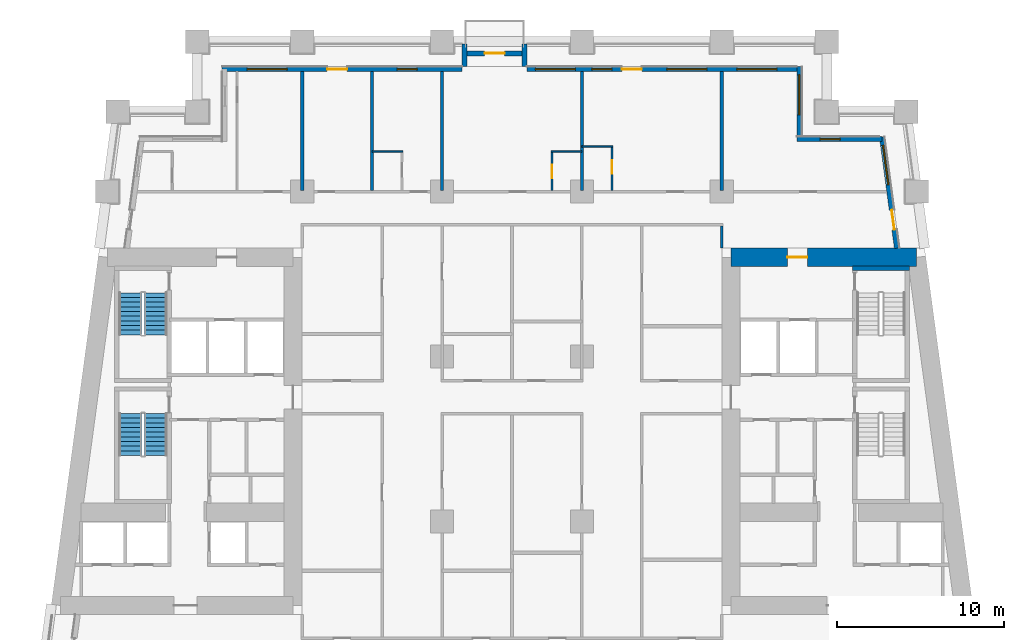
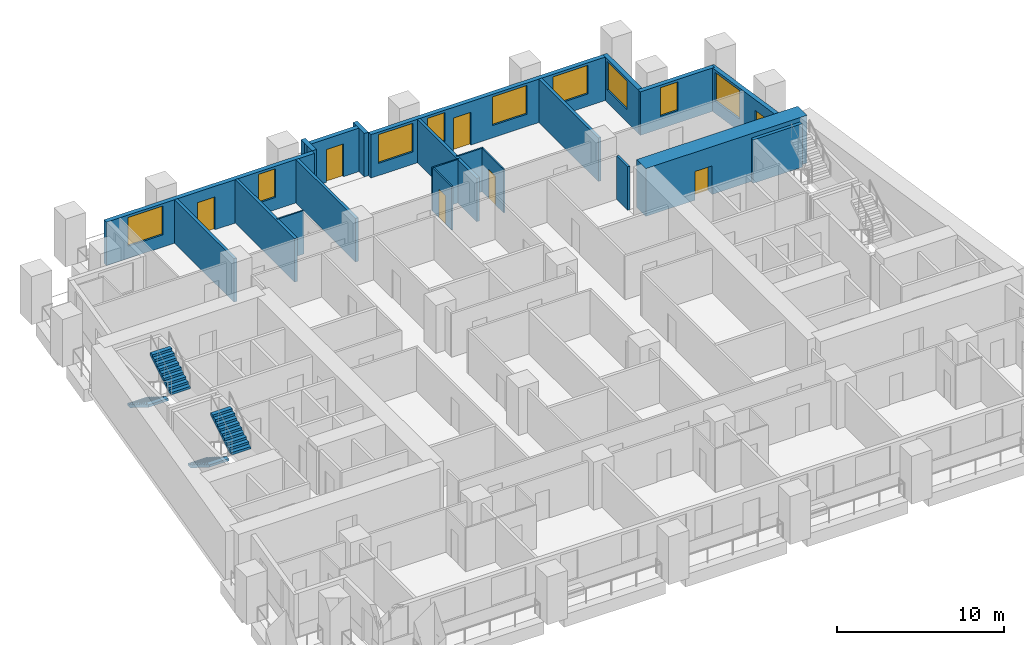
# One storey, part 7 of 13: 21 walls, 9 windows, 7 doors, 4 stair flights, 16 openings, 2 elements without a shape of their own.
"""IFC4 building model written with IfcOpenShell, lengths in metres."""

from ifc_helpers import new_model, si_unit, direction, frame, frame_2d, origin, place, context, subcontext, project, spatial, polyline, rectangle, outline, extrude, material, layer, layer_set, type_object, element, fill, aggregate, save


model = new_model("IFC4")

# Units and contexts
model_context = context("Model", 3, precision=1e-05, world=origin(), true_north=direction((0.0, 1.0)))
body_context = subcontext(model_context, "Body", "Model", "MODEL_VIEW")
ifc_project = project(units=[si_unit("LENGTHUNIT", "METRE"), si_unit("AREAUNIT", "SQUARE_METRE"), si_unit("VOLUMEUNIT", "CUBIC_METRE"), si_unit("PLANEANGLEUNIT", "RADIAN"), si_unit("MASSUNIT", "GRAM", prefix="KILO")], contexts=[model_context])

# Site, building, storey
site_placement = place(None, origin())
site = spatial("IfcSite", under=ifc_project, at=site_placement, CompositionType="ELEMENT")
building_placement = place(site_placement, origin())
building = spatial("IfcBuilding", under=site, at=building_placement, Name="Candeia Pilgrim Tower and Theatre", CompositionType="ELEMENT")
storey_placement = place(building_placement, frame((0.0, 0.0, 60.0)))
storey = spatial("IfcBuildingStorey", under=building, at=storey_placement, Name="L12", CompositionType="ELEMENT", Elevation=60.0)

# Wall, opening, door
ifc_material_1 = material(Name="Concrete C80/95", Category="concrete")
ifc_layer_1 = layer(ifc_material_1, 1.10009765625)
ifc_layer_set_1 = layer_set([ifc_layer_1], Name="Core wall 1100 C80/95")
wall_type_1 = type_object("IfcWallType", Name="Core wall 1100 C80/95", PredefinedType="SHEAR", material=ifc_layer_set_1)
wall_1_placement = place(storey_placement, frame((126.550048828125, 131.85009765625, 0.0), z_axis=(0.0, 0.0, 1.0), x_axis=(1.0, 0.0, 0.0)))
wall_1 = element("IfcWall", 1, at=wall_1_placement, inside=storey, type_object=wall_type_1, Name="Core wall E1", PredefinedType="SHEAR", context=body_context, shape_type="SweptSolid", body=[
    extrude(rectangle(XDim=11.13818359375, YDim=1.10009765625, at=frame_2d((5.569091796875, 0.0))), origin(), (0.0, 0.0, 1.0), 3.5),
])
opening_1_placement = place(wall_1_placement, frame((3.386474609375, 0.0, 0.0)))
opening_1 = element("IfcOpeningElement", 2, at=opening_1_placement, cuts=wall_1, Name="Opening L12-D061", PredefinedType="OPENING", context=body_context, shape_type="SweptSolid", body=[
    extrude(rectangle(XDim=1.199951171875, YDim=2.10009765625, at=frame_2d((0.60009765625, 1.050048828125))), frame((0.0, 0.56005859375, 0.0), z_axis=(0.0, -1.0, 0.0), x_axis=(1.0, 0.0, 0.0)), (0.0, 0.0, 1.0), 1.1201171875),
])
ifc_material_2 = material(Name="Steel fire door set", Category="steel")
door_type_1 = type_object("IfcDoorType", Name="D-1200-FD60", OperationType="NOTDEFINED", PredefinedType="DOOR", material=ifc_material_2)
door_1_placement = place(opening_1_placement, origin())
door_1 = element("IfcDoor", 3, at=door_1_placement, inside=storey, type_object=door_type_1, Name="Door L12-D061", OperationType="SINGLE_SWING_LEFT", OverallHeight=2.10009765625, OverallWidth=1.199951171875, PredefinedType="DOOR", context=body_context, shape_type="SweptSolid", body=[
    extrude(rectangle(XDim=1.199951171875, YDim=2.10009765625, at=frame_2d((0.60009765625, 1.050048828125))), frame((0.0, 0.02490234375, 0.0), z_axis=(0.0, -1.0, 0.0), x_axis=(1.0, 0.0, 0.0)), (0.0, 0.0, 1.0), 0.050048828125),
])
fill(opening_1, door_1)

# Wall, openings, door, window
ifc_material_3 = material(Name="Ceramic block masonry", Category="masonry")
ifc_layer_2 = layer(ifc_material_3, 0.300048828125)
ifc_layer_set_2 = layer_set([ifc_layer_2], Name="EW1 glazing-line wall 300")
wall_type_2 = type_object("IfcWallType", Name="EW1 glazing-line wall 300", PredefinedType="SOLIDWALL", material=ifc_layer_set_2)
wall_2_placement = place(storey_placement, frame((136.50439453125, 132.39990234375, 0.0), z_axis=(0.0, 0.0, 1.0), x_axis=(-0.133399697462, 0.99106231929, 0.0)))
wall_2 = element("IfcWall", 4, at=wall_2_placement, inside=storey, type_object=wall_type_2, Name="External wall L12-3.1", PredefinedType="SOLIDWALL", context=body_context, shape_type="SweptSolid", body=[
    extrude(rectangle(XDim=6.740478515625, YDim=0.300048828125, at=frame_2d((3.3701171875, 0.0))), origin(), (0.0, 0.0, 1.0), 3.179931640625),
])
opening_2_placement = place(wall_2_placement, frame((1.115234375, 0.0, 0.0)))
opening_2 = element("IfcOpeningElement", 5, at=opening_2_placement, cuts=wall_2, Name="Opening L12-ED140", PredefinedType="OPENING", context=body_context, shape_type="SweptSolid", body=[
    extrude(rectangle(XDim=1.199951171875, YDim=2.39990234375, at=frame_2d((0.60009765625, 1.199951171875))), frame((0.0, 0.16015625, 0.0), z_axis=(0.0, -1.0, 0.0), x_axis=(1.0, 0.0, 0.0)), (0.0, 0.0, 1.0), 0.320068359375),
])
opening_3_placement = place(wall_2_placement, frame((3.83544921875, 0.0, 0.89990234375)))
opening_3 = element("IfcOpeningElement", 6, at=opening_3_placement, cuts=wall_2, Name="Opening W-A", PredefinedType="OPENING", context=body_context, shape_type="SweptSolid", body=[
    extrude(rectangle(XDim=2.39990234375, YDim=2.10009765625, at=frame_2d((1.199951171875, 1.050048828125))), frame((0.0, 0.16015625, 0.0), z_axis=(0.0, -1.0, 0.0), x_axis=(1.0, 0.0, 0.0)), (0.0, 0.0, 1.0), 0.320068359375),
])
ifc_material_4 = material(Name="Aluminium framed glazed door", Category="aluminium")
door_type_2 = type_object("IfcDoorType", Name="Loggia door 1200x2400", OperationType="DOUBLE_DOOR_SINGLE_SWING", PredefinedType="DOOR", material=ifc_material_4)
door_2_placement = place(opening_2_placement, origin())
door_2 = element("IfcDoor", 7, at=door_2_placement, inside=storey, type_object=door_type_2, Name="Loggia door L12-ED140", OperationType="DOUBLE_DOOR_SINGLE_SWING", OverallHeight=2.39990234375, OverallWidth=1.199951171875, PredefinedType="DOOR", context=body_context, shape_type="SweptSolid", body=[
    extrude(rectangle(XDim=1.199951171875, YDim=2.39990234375, at=frame_2d((0.60009765625, 1.199951171875))), frame((0.0, 0.02490234375, 0.0), z_axis=(0.0, -1.0, 0.0), x_axis=(1.0, 0.0, 0.0)), (0.0, 0.0, 1.0), 0.050048828125),
])
fill(opening_2, door_2)
ifc_material_5 = material(Name="Aluminium framed double glazing", Category="aluminium")
window_type_1 = type_object("IfcWindowType", Name="W-A window 2400x2100", PartitioningType="DOUBLE_PANEL_VERTICAL", PredefinedType="WINDOW", material=ifc_material_5)
window_1_placement = place(opening_3_placement, origin())
window_1 = element("IfcWindow", 8, at=window_1_placement, inside=storey, type_object=window_type_1, Name="Window W-A L12", OverallHeight=2.10009765625, OverallWidth=2.39990234375, PartitioningType="SINGLE_PANEL", PredefinedType="WINDOW", context=body_context, shape_type="SweptSolid", body=[
    extrude(rectangle(XDim=2.39990234375, YDim=2.10009765625, at=frame_2d((1.199951171875, 1.050048828125))), frame((0.0, 0.030029296875, 0.0), z_axis=(0.0, -1.0, 0.0), x_axis=(1.0, 0.0, 0.0)), (0.0, 0.0, 1.0), 0.06005859375),
])
fill(opening_3, window_1)

# Wall, opening, window
wall_3_placement = place(storey_placement, frame((135.62255859375, 138.949951171875, 0.0), z_axis=(0.0, 0.0, 1.0), x_axis=(-1.0, 0.0, 0.0)))
wall_3 = element("IfcWall", 9, at=wall_3_placement, inside=storey, type_object=wall_type_2, Name="External wall L12-4.0", PredefinedType="SOLIDWALL", context=body_context, shape_type="SweptSolid", body=[
    extrude(rectangle(XDim=5.12255859375, YDim=0.300048828125, at=frame_2d((2.561279296875, 0.0))), origin(), (0.0, 0.0, 1.0), 3.179931640625),
])
opening_4_placement = place(wall_3_placement, frame((2.522705078125, 0.0, 0.89990234375)))
opening_4 = element("IfcOpeningElement", 10, at=opening_4_placement, cuts=wall_3, Name="Opening W-B", PredefinedType="OPENING", context=body_context, shape_type="SweptSolid", body=[
    extrude(rectangle(XDim=1.199951171875, YDim=2.10009765625, at=frame_2d((0.60009765625, 1.050048828125))), frame((0.0, 0.16015625, 0.0), z_axis=(0.0, -1.0, 0.0), x_axis=(1.0, 0.0, 0.0)), (0.0, 0.0, 1.0), 0.320068359375),
])
window_type_2 = type_object("IfcWindowType", Name="W-B window 1200x2100", PartitioningType="SINGLE_PANEL", PredefinedType="WINDOW", material=ifc_material_5)
window_2_placement = place(opening_4_placement, origin())
window_2 = element("IfcWindow", 11, at=window_2_placement, inside=storey, type_object=window_type_2, Name="Window W-B L12", OverallHeight=2.10009765625, OverallWidth=1.199951171875, PartitioningType="SINGLE_PANEL", PredefinedType="WINDOW", context=body_context, shape_type="SweptSolid", body=[
    extrude(rectangle(XDim=1.199951171875, YDim=2.10009765625, at=frame_2d((0.60009765625, 1.050048828125))), frame((0.0, 0.030029296875, 0.0), z_axis=(0.0, -1.0, 0.0), x_axis=(1.0, 0.0, 0.0)), (0.0, 0.0, 1.0), 0.06005859375),
])
fill(opening_4, window_2)

wall_4_placement = place(storey_placement, frame((130.64990234375, 138.949951171875, 0.0), z_axis=(0.0, 0.0, 1.0), x_axis=(0.0, 1.0, 0.0)))
wall_4 = element("IfcWall", 12, at=wall_4_placement, inside=storey, type_object=wall_type_2, Name="External wall L12-5.0", PredefinedType="SOLIDWALL", context=body_context, shape_type="SweptSolid", body=[
    extrude(rectangle(XDim=4.35009765625, YDim=0.300048828125, at=frame_2d((2.175048828125, 0.0))), origin(), (0.0, 0.0, 1.0), 3.179931640625),
])
opening_5_placement = place(wall_4_placement, frame((1.449951171875, 0.0, 0.89990234375)))
opening_5 = element("IfcOpeningElement", 13, at=opening_5_placement, cuts=wall_4, Name="Opening W-A", PredefinedType="OPENING", context=body_context, shape_type="SweptSolid", body=[
    extrude(rectangle(XDim=2.39990234375, YDim=2.10009765625, at=frame_2d((1.199951171875, 1.050048828125))), frame((0.0, 0.16015625, 0.0), z_axis=(0.0, -1.0, 0.0), x_axis=(1.0, 0.0, 0.0)), (0.0, 0.0, 1.0), 0.320068359375),
])
window_3_placement = place(opening_5_placement, origin())
window_3 = element("IfcWindow", 14, at=window_3_placement, inside=storey, type_object=window_type_1, Name="Window W-A L12", OverallHeight=2.10009765625, OverallWidth=2.39990234375, PartitioningType="SINGLE_PANEL", PredefinedType="WINDOW", context=body_context, shape_type="SweptSolid", body=[
    extrude(rectangle(XDim=2.39990234375, YDim=2.10009765625, at=frame_2d((1.199951171875, 1.050048828125))), frame((0.0, 0.030029296875, 0.0), z_axis=(0.0, -1.0, 0.0), x_axis=(1.0, 0.0, 0.0)), (0.0, 0.0, 1.0), 0.06005859375),
])
fill(opening_5, window_3)

# Wall, openings, door, windows
wall_5_placement = place(storey_placement, frame((130.64990234375, 143.14990234375, 0.0), z_axis=(0.0, 0.0, 1.0), x_axis=(-1.0, 0.0, 0.0)))
wall_5 = element("IfcWall", 15, at=wall_5_placement, inside=storey, type_object=wall_type_2, Name="External wall L12-6.0", PredefinedType="SOLIDWALL", context=body_context, shape_type="SweptSolid", body=[
    extrude(rectangle(XDim=16.349853515625, YDim=0.300048828125, at=frame_2d((8.1748046875, 0.0))), origin(), (0.0, 0.0, 1.0), 3.179931640625),
])
opening_6_placement = place(wall_5_placement, frame((1.35009765625, 0.0, 0.89990234375)))
opening_6 = element("IfcOpeningElement", 16, at=opening_6_placement, cuts=wall_5, Name="Opening W-A", PredefinedType="OPENING", context=body_context, shape_type="SweptSolid", body=[
    extrude(rectangle(XDim=2.39990234375, YDim=2.10009765625, at=frame_2d((1.199951171875, 1.050048828125))), frame((0.0, 0.16015625, 0.0), z_axis=(0.0, -1.0, 0.0), x_axis=(1.0, 0.0, 0.0)), (0.0, 0.0, 1.0), 0.320068359375),
])
opening_7_placement = place(wall_5_placement, frame((5.550048828125, 0.0, 0.89990234375)))
opening_7 = element("IfcOpeningElement", 17, at=opening_7_placement, cuts=wall_5, Name="Opening W-A", PredefinedType="OPENING", context=body_context, shape_type="SweptSolid", body=[
    extrude(rectangle(XDim=2.39990234375, YDim=2.10009765625, at=frame_2d((1.199951171875, 1.050048828125))), frame((0.0, 0.16015625, 0.0), z_axis=(0.0, -1.0, 0.0), x_axis=(1.0, 0.0, 0.0)), (0.0, 0.0, 1.0), 0.320068359375),
])
opening_8_placement = place(wall_5_placement, frame((9.449951171875, 0.0, 0.0)))
opening_8 = element("IfcOpeningElement", 18, at=opening_8_placement, cuts=wall_5, Name="Opening L12-ED141", PredefinedType="OPENING", context=body_context, shape_type="SweptSolid", body=[
    extrude(rectangle(XDim=1.199951171875, YDim=2.39990234375, at=frame_2d((0.60009765625, 1.199951171875))), frame((0.0, 0.16015625, 0.0), z_axis=(0.0, -1.0, 0.0), x_axis=(1.0, 0.0, 0.0)), (0.0, 0.0, 1.0), 0.320068359375),
])
opening_9_placement = place(wall_5_placement, frame((11.25, 0.0, 0.89990234375)))
opening_9 = element("IfcOpeningElement", 19, at=opening_9_placement, cuts=wall_5, Name="Opening W-B", PredefinedType="OPENING", context=body_context, shape_type="SweptSolid", body=[
    extrude(rectangle(XDim=1.199951171875, YDim=2.10009765625, at=frame_2d((0.60009765625, 1.050048828125))), frame((0.0, 0.16015625, 0.0), z_axis=(0.0, -1.0, 0.0), x_axis=(1.0, 0.0, 0.0)), (0.0, 0.0, 1.0), 0.320068359375),
])
opening_10_placement = place(wall_5_placement, frame((13.449951171875, 0.0, 0.89990234375)))
opening_10 = element("IfcOpeningElement", 20, at=opening_10_placement, cuts=wall_5, Name="Opening W-A", PredefinedType="OPENING", context=body_context, shape_type="SweptSolid", body=[
    extrude(rectangle(XDim=2.39990234375, YDim=2.10009765625, at=frame_2d((1.199951171875, 1.050048828125))), frame((0.0, 0.16015625, 0.0), z_axis=(0.0, -1.0, 0.0), x_axis=(1.0, 0.0, 0.0)), (0.0, 0.0, 1.0), 0.320068359375),
])
door_3_placement = place(opening_8_placement, origin())
door_3 = element("IfcDoor", 21, at=door_3_placement, inside=storey, type_object=door_type_2, Name="Loggia door L12-ED141", OperationType="DOUBLE_DOOR_SINGLE_SWING", OverallHeight=2.39990234375, OverallWidth=1.199951171875, PredefinedType="DOOR", context=body_context, shape_type="SweptSolid", body=[
    extrude(rectangle(XDim=1.199951171875, YDim=2.39990234375, at=frame_2d((0.60009765625, 1.199951171875))), frame((0.0, 0.02490234375, 0.0), z_axis=(0.0, -1.0, 0.0), x_axis=(1.0, 0.0, 0.0)), (0.0, 0.0, 1.0), 0.050048828125),
])
fill(opening_8, door_3)
window_4_placement = place(opening_6_placement, origin())
window_4 = element("IfcWindow", 22, at=window_4_placement, inside=storey, type_object=window_type_1, Name="Window W-A L12", OverallHeight=2.10009765625, OverallWidth=2.39990234375, PartitioningType="SINGLE_PANEL", PredefinedType="WINDOW", context=body_context, shape_type="SweptSolid", body=[
    extrude(rectangle(XDim=2.39990234375, YDim=2.10009765625, at=frame_2d((1.199951171875, 1.050048828125))), frame((0.0, 0.030029296875, 0.0), z_axis=(0.0, -1.0, 0.0), x_axis=(1.0, 0.0, 0.0)), (0.0, 0.0, 1.0), 0.06005859375),
])
fill(opening_6, window_4)
window_5_placement = place(opening_7_placement, origin())
window_5 = element("IfcWindow", 23, at=window_5_placement, inside=storey, type_object=window_type_1, Name="Window W-A L12", OverallHeight=2.10009765625, OverallWidth=2.39990234375, PartitioningType="SINGLE_PANEL", PredefinedType="WINDOW", context=body_context, shape_type="SweptSolid", body=[
    extrude(rectangle(XDim=2.39990234375, YDim=2.10009765625, at=frame_2d((1.199951171875, 1.050048828125))), frame((0.0, 0.030029296875, 0.0), z_axis=(0.0, -1.0, 0.0), x_axis=(1.0, 0.0, 0.0)), (0.0, 0.0, 1.0), 0.06005859375),
])
fill(opening_7, window_5)
window_6_placement = place(opening_10_placement, origin())
window_6 = element("IfcWindow", 24, at=window_6_placement, inside=storey, type_object=window_type_1, Name="Window W-A L12", OverallHeight=2.10009765625, OverallWidth=2.39990234375, PartitioningType="SINGLE_PANEL", PredefinedType="WINDOW", context=body_context, shape_type="SweptSolid", body=[
    extrude(rectangle(XDim=2.39990234375, YDim=2.10009765625, at=frame_2d((1.199951171875, 1.050048828125))), frame((0.0, 0.030029296875, 0.0), z_axis=(0.0, -1.0, 0.0), x_axis=(1.0, 0.0, 0.0)), (0.0, 0.0, 1.0), 0.06005859375),
])
fill(opening_10, window_6)
window_7_placement = place(opening_9_placement, origin())
window_7 = element("IfcWindow", 25, at=window_7_placement, inside=storey, type_object=window_type_2, Name="Window W-B L12", OverallHeight=2.10009765625, OverallWidth=1.199951171875, PartitioningType="SINGLE_PANEL", PredefinedType="WINDOW", context=body_context, shape_type="SweptSolid", body=[
    extrude(rectangle(XDim=1.199951171875, YDim=2.10009765625, at=frame_2d((0.60009765625, 1.050048828125))), frame((0.0, 0.030029296875, 0.0), z_axis=(0.0, -1.0, 0.0), x_axis=(1.0, 0.0, 0.0)), (0.0, 0.0, 1.0), 0.06005859375),
])
fill(opening_9, window_7)

wall_6_placement = place(storey_placement, frame((110.39990234375, 143.14990234375, 0.0), z_axis=(0.0, 0.0, 1.0), x_axis=(-1.0, 0.0, 0.0)))
wall_6 = element("IfcWall", 26, at=wall_6_placement, inside=storey, type_object=wall_type_2, Name="External wall L12-6.1", PredefinedType="SOLIDWALL", context=body_context, shape_type="SweptSolid", body=[
    extrude(rectangle(XDim=14.39990234375, YDim=0.300048828125, at=frame_2d((7.199951171875, 0.0))), origin(), (0.0, 0.0, 1.0), 3.179931640625),
])
opening_11_placement = place(wall_6_placement, frame((2.699951171875, 0.0, 0.89990234375)))
opening_11 = element("IfcOpeningElement", 27, at=opening_11_placement, cuts=wall_6, Name="Opening W-B", PredefinedType="OPENING", context=body_context, shape_type="SweptSolid", body=[
    extrude(rectangle(XDim=1.199951171875, YDim=2.10009765625, at=frame_2d((0.60009765625, 1.050048828125))), frame((0.0, 0.16015625, 0.0), z_axis=(0.0, -1.0, 0.0), x_axis=(1.0, 0.0, 0.0)), (0.0, 0.0, 1.0), 0.320068359375),
])
opening_12_placement = place(wall_6_placement, frame((6.89990234375, 0.0, 0.0)))
opening_12 = element("IfcOpeningElement", 28, at=opening_12_placement, cuts=wall_6, Name="Opening L12-ED142", PredefinedType="OPENING", context=body_context, shape_type="SweptSolid", body=[
    extrude(rectangle(XDim=1.199951171875, YDim=2.39990234375, at=frame_2d((0.60009765625, 1.199951171875))), frame((0.0, 0.16015625, 0.0), z_axis=(0.0, -1.0, 0.0), x_axis=(1.0, 0.0, 0.0)), (0.0, 0.0, 1.0), 0.320068359375),
])
opening_13_placement = place(wall_6_placement, frame((10.5, 0.0, 0.89990234375)))
opening_13 = element("IfcOpeningElement", 29, at=opening_13_placement, cuts=wall_6, Name="Opening W-A", PredefinedType="OPENING", context=body_context, shape_type="SweptSolid", body=[
    extrude(rectangle(XDim=2.39990234375, YDim=2.10009765625, at=frame_2d((1.199951171875, 1.050048828125))), frame((0.0, 0.16015625, 0.0), z_axis=(0.0, -1.0, 0.0), x_axis=(1.0, 0.0, 0.0)), (0.0, 0.0, 1.0), 0.320068359375),
])
door_4_placement = place(opening_12_placement, origin())
door_4 = element("IfcDoor", 30, at=door_4_placement, inside=storey, type_object=door_type_2, Name="Loggia door L12-ED142", OperationType="DOUBLE_DOOR_SINGLE_SWING", OverallHeight=2.39990234375, OverallWidth=1.199951171875, PredefinedType="DOOR", context=body_context, shape_type="SweptSolid", body=[
    extrude(rectangle(XDim=1.199951171875, YDim=2.39990234375, at=frame_2d((0.60009765625, 1.199951171875))), frame((0.0, 0.02490234375, 0.0), z_axis=(0.0, -1.0, 0.0), x_axis=(1.0, 0.0, 0.0)), (0.0, 0.0, 1.0), 0.050048828125),
])
fill(opening_12, door_4)
window_8_placement = place(opening_13_placement, origin())
window_8 = element("IfcWindow", 31, at=window_8_placement, inside=storey, type_object=window_type_1, Name="Window W-A L12", OverallHeight=2.10009765625, OverallWidth=2.39990234375, PartitioningType="SINGLE_PANEL", PredefinedType="WINDOW", context=body_context, shape_type="SweptSolid", body=[
    extrude(rectangle(XDim=2.39990234375, YDim=2.10009765625, at=frame_2d((1.199951171875, 1.050048828125))), frame((0.0, 0.030029296875, 0.0), z_axis=(0.0, -1.0, 0.0), x_axis=(1.0, 0.0, 0.0)), (0.0, 0.0, 1.0), 0.06005859375),
])
fill(opening_13, window_8)
window_9_placement = place(opening_11_placement, origin())
window_9 = element("IfcWindow", 32, at=window_9_placement, inside=storey, type_object=window_type_2, Name="Window W-B L12", OverallHeight=2.10009765625, OverallWidth=1.199951171875, PartitioningType="SINGLE_PANEL", PredefinedType="WINDOW", context=body_context, shape_type="SweptSolid", body=[
    extrude(rectangle(XDim=1.199951171875, YDim=2.10009765625, at=frame_2d((0.60009765625, 1.050048828125))), frame((0.0, 0.030029296875, 0.0), z_axis=(0.0, -1.0, 0.0), x_axis=(1.0, 0.0, 0.0)), (0.0, 0.0, 1.0), 0.06005859375),
])
fill(opening_11, window_9)

# Walls
ifc_layer_3 = layer(ifc_material_3, 0.300048828125)
ifc_layer_set_3 = layer_set([ifc_layer_3], Name="EW2 entrance infill wall 300")
wall_type_3 = type_object("IfcWallType", Name="EW2 entrance infill wall 300", PredefinedType="SOLIDWALL", material=ifc_layer_set_3)
for number, where, z_axis, x_axis, name in (
    (33, (114.14990234375, 143.300048828125, 0.0), (0.0, 0.0, 1.0), (0.0, 1.0, 0.0), "Alcove wall L12"),
    (34, (110.550048828125, 143.300048828125, 0.0), (0.0, 0.0, 1.0), (0.0, 1.0, 0.0), "Alcove wall L12"),
):
    element("IfcWall", number, at=place(storey_placement, frame(where, z_axis=z_axis, x_axis=x_axis)), inside=storey, type_object=wall_type_3, Name=name, PredefinedType="SOLIDWALL", context=body_context, shape_type="SweptSolid", body=[
        extrude(rectangle(XDim=1.349853515625, YDim=0.300048828125, at=frame_2d((0.6748046875, 0.0))), origin(), (0.0, 0.0, 1.0), 3.179931640625),
    ])

# Wall, opening, door
wall_7_placement = place(storey_placement, frame((114.300048828125, 144.10009765625, 0.0), z_axis=(0.0, 0.0, 1.0), x_axis=(-1.0, 0.0, 0.0)))
wall_7 = element("IfcWall", 35, at=wall_7_placement, inside=storey, type_object=wall_type_3, Name="Alcove wall L12", PredefinedType="SOLIDWALL", context=body_context, shape_type="SweptSolid", body=[
    extrude(rectangle(XDim=3.900146484375, YDim=0.300048828125, at=frame_2d((1.9501953125, 0.0))), origin(), (0.0, 0.0, 1.0), 3.179931640625),
])
opening_14_placement = place(wall_7_placement, frame((1.35009765625, 0.0, 0.0)))
opening_14 = element("IfcOpeningElement", 36, at=opening_14_placement, cuts=wall_7, Name="Opening L12-ED143", PredefinedType="OPENING", context=body_context, shape_type="SweptSolid", body=[
    extrude(rectangle(XDim=1.199951171875, YDim=2.39990234375, at=frame_2d((0.60009765625, 1.199951171875))), frame((0.0, 0.16015625, 0.0), z_axis=(0.0, -1.0, 0.0), x_axis=(1.0, 0.0, 0.0)), (0.0, 0.0, 1.0), 0.320068359375),
])
door_5_placement = place(opening_14_placement, origin())
door_5 = element("IfcDoor", 37, at=door_5_placement, inside=storey, type_object=door_type_2, Name="Balcony door L12-ED143", OperationType="DOUBLE_DOOR_SINGLE_SWING", OverallHeight=2.39990234375, OverallWidth=1.199951171875, PredefinedType="DOOR", context=body_context, shape_type="SweptSolid", body=[
    extrude(rectangle(XDim=1.199951171875, YDim=2.39990234375, at=frame_2d((0.60009765625, 1.199951171875))), frame((0.0, 0.02490234375, 0.0), z_axis=(0.0, -1.0, 0.0), x_axis=(1.0, 0.0, 0.0)), (0.0, 0.0, 1.0), 0.050048828125),
])
fill(opening_14, door_5)

# Walls
ifc_material_6 = material(Name="Gypsum board partition on steel studs", Category="steel")
ifc_layer_4 = layer(ifc_material_6, 0.10009765625)
ifc_layer_set_4 = layer_set([ifc_layer_4], Name="PW-100 room partition")
wall_type_4 = type_object("IfcWallType", Name="PW-100 room partition", PredefinedType="PARTITIONING", material=ifc_layer_set_4)
for number, where, z_axis, x_axis, name in (
    (38, (105.0, 138.199951171875, 0.0), (0.0, 0.0, 1.0), (1.0, 0.0, 0.0), "Room partition L12-050"),
    (39, (115.75, 138.199951171875, 0.0), (0.0, 0.0, 1.0), (1.0, 0.0, 0.0), "Room partition L12-051"),
):
    element("IfcWall", number, at=place(storey_placement, frame(where, z_axis=z_axis, x_axis=x_axis)), inside=storey, type_object=wall_type_4, Name=name, PredefinedType="PARTITIONING", context=body_context, shape_type="SweptSolid", body=[
        extrude(rectangle(XDim=1.85009765625, YDim=0.10009765625, at=frame_2d((0.925048828125, 0.0))), origin(), (0.0, 0.0, 1.0), 3.179931640625),
    ])
wall_8_placement = place(storey_placement, frame((117.60009765625, 138.5, 0.0), z_axis=(0.0, 0.0, 1.0), x_axis=(1.0, 0.0, 0.0)))
element("IfcWall", 40, at=wall_8_placement, inside=storey, type_object=wall_type_4, Name="Room partition L12-052", PredefinedType="PARTITIONING", context=body_context, shape_type="SweptSolid", body=[
    extrude(rectangle(XDim=1.849853515625, YDim=0.10009765625, at=frame_2d((0.9248046875, 0.0))), origin(), (0.0, 0.0, 1.0), 3.179931640625),
])

# Wall, opening, door
wall_9_placement = place(storey_placement, frame((115.800048828125, 135.875, 0.0), z_axis=(0.0, 0.0, 1.0), x_axis=(0.0, 1.0, 0.0)))
wall_9 = element("IfcWall", 41, at=wall_9_placement, inside=storey, type_object=wall_type_4, Name="Room partition L12-092", PredefinedType="PARTITIONING", context=body_context, shape_type="SweptSolid", body=[
    extrude(rectangle(XDim=2.27490234375, YDim=0.10009765625, at=frame_2d((1.137451171875, 0.0))), origin(), (0.0, 0.0, 1.0), 3.179931640625),
])
opening_15_placement = place(wall_9_placement, frame((0.72509765625, 0.0, 0.0)))
opening_15 = element("IfcOpeningElement", 42, at=opening_15_placement, cuts=wall_9, Name="Opening L12-D037", PredefinedType="OPENING", context=body_context, shape_type="SweptSolid", body=[
    extrude(rectangle(XDim=0.800048828125, YDim=2.10009765625, at=frame_2d((0.39990234375, 1.050048828125))), frame((0.0, 0.06005859375, 0.0), z_axis=(0.0, -1.0, 0.0), x_axis=(1.0, 0.0, 0.0)), (0.0, 0.0, 1.0), 0.1201171875),
])
ifc_material_7 = material(Name="Timber door leaf", Category="wood")
door_type_3 = type_object("IfcDoorType", Name="D-800", OperationType="NOTDEFINED", PredefinedType="DOOR", material=ifc_material_7)
door_6_placement = place(opening_15_placement, origin())
door_6 = element("IfcDoor", 43, at=door_6_placement, inside=storey, type_object=door_type_3, Name="Door L12-D037", OperationType="SINGLE_SWING_LEFT", OverallHeight=2.10009765625, OverallWidth=0.800048828125, PredefinedType="DOOR", context=body_context, shape_type="SweptSolid", body=[
    extrude(rectangle(XDim=0.800048828125, YDim=2.10009765625, at=frame_2d((0.39990234375, 1.050048828125))), frame((0.0, 0.02490234375, 0.0), z_axis=(0.0, -1.0, 0.0), x_axis=(1.0, 0.0, 0.0)), (0.0, 0.0, 1.0), 0.050048828125),
])
fill(opening_15, door_6)

wall_10_placement = place(storey_placement, frame((119.39990234375, 135.875, 0.0), z_axis=(0.0, 0.0, 1.0), x_axis=(0.0, 1.0, 0.0)))
wall_10 = element("IfcWall", 44, at=wall_10_placement, inside=storey, type_object=wall_type_4, Name="Room partition L12-097", PredefinedType="PARTITIONING", context=body_context, shape_type="SweptSolid", body=[
    extrude(rectangle(XDim=2.574951171875, YDim=0.10009765625, at=frame_2d((1.28759765625, 0.0))), origin(), (0.0, 0.0, 1.0), 3.179931640625),
])
opening_16_placement = place(wall_10_placement, frame((0.9951171875, 0.0, 0.0)))
opening_16 = element("IfcOpeningElement", 45, at=opening_16_placement, cuts=wall_10, Name="Opening L12-D039", PredefinedType="OPENING", context=body_context, shape_type="SweptSolid", body=[
    extrude(rectangle(XDim=0.800048828125, YDim=2.10009765625, at=frame_2d((0.39990234375, 1.050048828125))), frame((0.0, 0.06005859375, 0.0), z_axis=(0.0, -1.0, 0.0), x_axis=(1.0, 0.0, 0.0)), (0.0, 0.0, 1.0), 0.1201171875),
])
door_7_placement = place(opening_16_placement, origin())
door_7 = element("IfcDoor", 46, at=door_7_placement, inside=storey, type_object=door_type_3, Name="Door L12-D039", OperationType="SINGLE_SWING_LEFT", OverallHeight=2.10009765625, OverallWidth=0.800048828125, PredefinedType="DOOR", context=body_context, shape_type="SweptSolid", body=[
    extrude(rectangle(XDim=0.800048828125, YDim=2.10009765625, at=frame_2d((0.39990234375, 1.050048828125))), frame((0.0, 0.02490234375, 0.0), z_axis=(0.0, -1.0, 0.0), x_axis=(1.0, 0.0, 0.0)), (0.0, 0.0, 1.0), 0.050048828125),
])
fill(opening_16, door_7)

# Walls
ifc_layer_5 = layer(ifc_material_6, 0.14990234375)
ifc_layer_set_5 = layer_set([ifc_layer_5], Name="PW-150 unit wall")
wall_type_5 = type_object("IfcWallType", Name="PW-150 unit wall", PredefinedType="PARTITIONING", material=ifc_layer_set_5)
wall_11_placement = place(storey_placement, frame((126.0, 132.39990234375, 0.0), z_axis=(0.0, 0.0, 1.0), x_axis=(0.0, 1.0, 0.0)))
element("IfcWall", 47, at=wall_11_placement, inside=storey, type_object=wall_type_5, Name="Unit wall L12-104", PredefinedType="PARTITIONING", context=body_context, shape_type="SweptSolid", body=[
    extrude(rectangle(XDim=1.3251953125, YDim=0.14990234375, at=frame_2d((0.66259765625, 0.0))), origin(), (0.0, 0.0, 1.0), 3.179931640625),
])
ifc_layer_6 = layer(ifc_material_6, 0.199951171875)
ifc_layer_set_6 = layer_set([ifc_layer_6], Name="PW-200 party wall")
wall_type_6 = type_object("IfcWallType", Name="PW-200 party wall", PredefinedType="PARTITIONING", material=ifc_layer_set_6)
for number, where, z_axis, x_axis, name in (
    (48, (100.800048828125, 135.875, 0.0), (0.0, 0.0, 1.0), (0.0, 1.0, 0.0), "Party wall L12-077"),
    (49, (105.0, 135.875, 0.0), (0.0, 0.0, 1.0), (0.0, 1.0, 0.0), "Party wall L12-081"),
    (50, (109.199951171875, 135.875, 0.0), (0.0, 0.0, 1.0), (0.0, 1.0, 0.0), "Party wall L12-086"),
    (51, (117.60009765625, 135.875, 0.0), (0.0, 0.0, 1.0), (0.0, 1.0, 0.0), "Party wall L12-094"),
    (52, (126.0, 135.875, 0.0), (0.0, 0.0, 1.0), (0.0, 1.0, 0.0), "Party wall L12-102"),
):
    element("IfcWall", number, at=place(storey_placement, frame(where, z_axis=z_axis, x_axis=x_axis)), inside=storey, type_object=wall_type_6, Name=name, PredefinedType="PARTITIONING", context=body_context, shape_type="SweptSolid", body=[
        extrude(rectangle(XDim=7.135009765625, YDim=0.199951171875, at=frame_2d((3.5673828125, 0.0))), origin(), (0.0, 0.0, 1.0), 3.179931640625),
    ])
ifc_material_8 = material(Name="Concrete C40/50", Category="concrete")
ifc_layer_7 = layer(ifc_material_8, 0.25)
ifc_layer_set_7 = layer_set([ifc_layer_7], Name="SW-250 stair wall")
wall_type_7 = type_object("IfcWallType", Name="SW-250 stair wall", PredefinedType="PARTITIONING", material=ifc_layer_set_7)
wall_12_placement = place(storey_placement, frame((133.847900390625, 131.199951171875, 0.0), z_axis=(0.0, 0.0, 1.0), x_axis=(1.0, 0.0, 0.0)))
element("IfcWall", 53, at=wall_12_placement, inside=storey, type_object=wall_type_7, Name="Stair wall L12-046", PredefinedType="PARTITIONING", context=body_context, shape_type="SweptSolid", body=[
    extrude(rectangle(XDim=3.400146484375, YDim=0.25, at=frame_2d((1.7001953125, 0.0))), origin(), (0.0, 0.0, 1.0), 3.179931640625),
])

# Stair, stair flights
stair_type = type_object("IfcStairType", Name="ST-TWR dog-leg escape stair", PredefinedType="HALF_TURN_STAIR", material=ifc_material_8)
stair_1_placement = place(storey_placement, origin())
stair_1 = element("IfcStair", 54, at=stair_1_placement, inside=storey, type_object=stair_type, Name="L12 Escape stair ST1", PredefinedType="HALF_TURN_STAIR")
stair_flight_type = type_object("IfcStairFlightType", Name="SFL-RC stair flight", PredefinedType="STRAIGHT", material=ifc_material_8)
stair_flight_1_placement = place(storey_placement, frame((90.47705078125, 122.47509765625, 0.0), z_axis=(0.0, 0.0, 1.0), x_axis=(0.0, -1.0, 0.0)))
stair_flight_1 = element("IfcStairFlight", 55, at=stair_flight_1_placement, type_object=stair_flight_type, Name="ST1 flight 1", NumberOfRisers=10, NumberOfTreads=9, PredefinedType="STRAIGHT", RiserHeight=0.175, TreadLength=0.28, context=body_context, shape_type="SweptSolid", body=[
    extrude(outline(polyline([(0.0, 0.0), (0.0, 0.175048828125), (0.280029296875, 0.175048828125), (0.280029296875, 0.35009765625), (0.56005859375, 0.35009765625), (0.56005859375, 0.52490234375), (0.840087890625, 0.52490234375), (0.840087890625, 0.699951171875), (1.1201171875, 0.699951171875), (1.1201171875, 0.875), (1.39990234375, 0.875), (1.39990234375, 1.050048828125), (1.679931640625, 1.050048828125), (1.679931640625, 1.22509765625), (1.9599609375, 1.22509765625), (1.9599609375, 1.39990234375), (2.239990234375, 1.39990234375), (2.239990234375, 1.574951171875), (2.52001953125, 1.574951171875), (2.52001953125, 1.75), (2.52001953125, 1.398193359375), (0.28271484375, 0.0), (0.0, 0.0)])), frame((0.0, 0.675048828125, 0.0), z_axis=(0.0, -1.0, 0.0), x_axis=(1.0, 0.0, 0.0)), (0.0, 0.0, 1.0), 1.35009765625),
])
stair_flight_2_placement = place(storey_placement, frame((92.027099609375, 119.955078125, 1.75), z_axis=(0.0, 0.0, 1.0), x_axis=(0.0, 1.0, 0.0)))
stair_flight_2 = element("IfcStairFlight", 56, at=stair_flight_2_placement, type_object=stair_flight_type, Name="ST1 flight 2", NumberOfRisers=10, NumberOfTreads=9, PredefinedType="STRAIGHT", RiserHeight=0.175, TreadLength=0.28, context=body_context, shape_type="SweptSolid", body=[
    extrude(outline(polyline([(0.0, 0.0), (0.0, 0.175048828125), (0.280029296875, 0.175048828125), (0.280029296875, 0.35009765625), (0.56005859375, 0.35009765625), (0.56005859375, 0.52490234375), (0.840087890625, 0.52490234375), (0.840087890625, 0.699951171875), (1.1201171875, 0.699951171875), (1.1201171875, 0.875), (1.39990234375, 0.875), (1.39990234375, 1.050048828125), (1.679931640625, 1.050048828125), (1.679931640625, 1.22509765625), (1.9599609375, 1.22509765625), (1.9599609375, 1.39990234375), (2.239990234375, 1.39990234375), (2.239990234375, 1.574951171875), (2.52001953125, 1.574951171875), (2.52001953125, 1.75), (2.52001953125, 1.398193359375), (0.28271484375, 0.0), (0.0, 0.0)])), frame((0.0, 0.675048828125, 0.0), z_axis=(0.0, -1.0, 0.0), x_axis=(1.0, 0.0, 0.0)), (0.0, 0.0, 1.0), 1.35009765625),
])
aggregate(stair_1, [stair_flight_1, stair_flight_2])

stair_2_placement = place(storey_placement, origin())
stair_2 = element("IfcStair", 57, at=stair_2_placement, inside=storey, type_object=stair_type, Name="L12 Escape stair ST2", PredefinedType="HALF_TURN_STAIR")
stair_flight_3_placement = place(storey_placement, frame((90.47705078125, 129.72509765625, 0.0), z_axis=(0.0, 0.0, 1.0), x_axis=(0.0, -1.0, 0.0)))
stair_flight_3 = element("IfcStairFlight", 58, at=stair_flight_3_placement, type_object=stair_flight_type, Name="ST2 flight 1", NumberOfRisers=10, NumberOfTreads=9, PredefinedType="STRAIGHT", RiserHeight=0.175, TreadLength=0.28, context=body_context, shape_type="SweptSolid", body=[
    extrude(outline(polyline([(0.0, 0.0), (0.0, 0.175048828125), (0.280029296875, 0.175048828125), (0.280029296875, 0.35009765625), (0.56005859375, 0.35009765625), (0.56005859375, 0.52490234375), (0.840087890625, 0.52490234375), (0.840087890625, 0.699951171875), (1.1201171875, 0.699951171875), (1.1201171875, 0.875), (1.39990234375, 0.875), (1.39990234375, 1.050048828125), (1.679931640625, 1.050048828125), (1.679931640625, 1.22509765625), (1.9599609375, 1.22509765625), (1.9599609375, 1.39990234375), (2.239990234375, 1.39990234375), (2.239990234375, 1.574951171875), (2.52001953125, 1.574951171875), (2.52001953125, 1.75), (2.52001953125, 1.398193359375), (0.28271484375, 0.0), (0.0, 0.0)])), frame((0.0, 0.675048828125, 0.0), z_axis=(0.0, -1.0, 0.0), x_axis=(1.0, 0.0, 0.0)), (0.0, 0.0, 1.0), 1.35009765625),
])
stair_flight_4_placement = place(storey_placement, frame((92.027099609375, 127.205078125, 1.75), z_axis=(0.0, 0.0, 1.0), x_axis=(0.0, 1.0, 0.0)))
stair_flight_4 = element("IfcStairFlight", 59, at=stair_flight_4_placement, type_object=stair_flight_type, Name="ST2 flight 2", NumberOfRisers=10, NumberOfTreads=9, PredefinedType="STRAIGHT", RiserHeight=0.175, TreadLength=0.28, context=body_context, shape_type="SweptSolid", body=[
    extrude(outline(polyline([(0.0, 0.0), (0.0, 0.175048828125), (0.280029296875, 0.175048828125), (0.280029296875, 0.35009765625), (0.56005859375, 0.35009765625), (0.56005859375, 0.52490234375), (0.840087890625, 0.52490234375), (0.840087890625, 0.699951171875), (1.1201171875, 0.699951171875), (1.1201171875, 0.875), (1.39990234375, 0.875), (1.39990234375, 1.050048828125), (1.679931640625, 1.050048828125), (1.679931640625, 1.22509765625), (1.9599609375, 1.22509765625), (1.9599609375, 1.39990234375), (2.239990234375, 1.39990234375), (2.239990234375, 1.574951171875), (2.52001953125, 1.574951171875), (2.52001953125, 1.75), (2.52001953125, 1.398193359375), (0.28271484375, 0.0), (0.0, 0.0)])), frame((0.0, 0.675048828125, 0.0), z_axis=(0.0, -1.0, 0.0), x_axis=(1.0, 0.0, 0.0)), (0.0, 0.0, 1.0), 1.35009765625),
])
aggregate(stair_2, [stair_flight_3, stair_flight_4])

save(model, "model.ifc")
